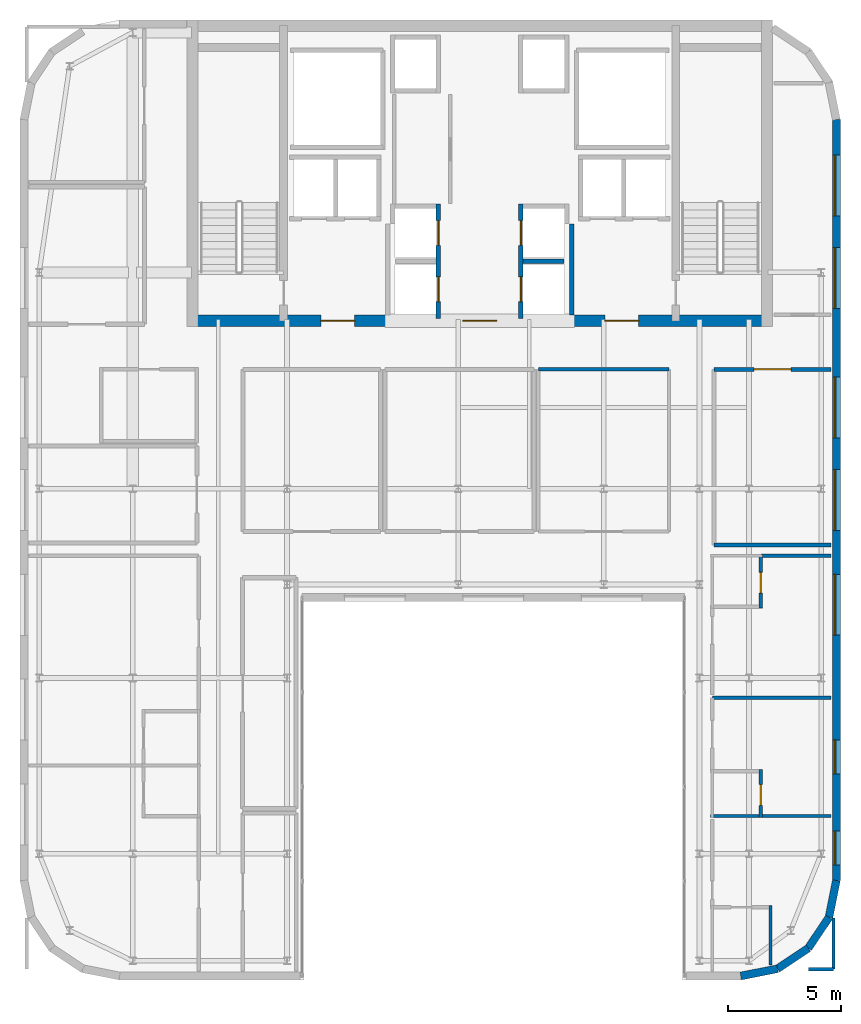
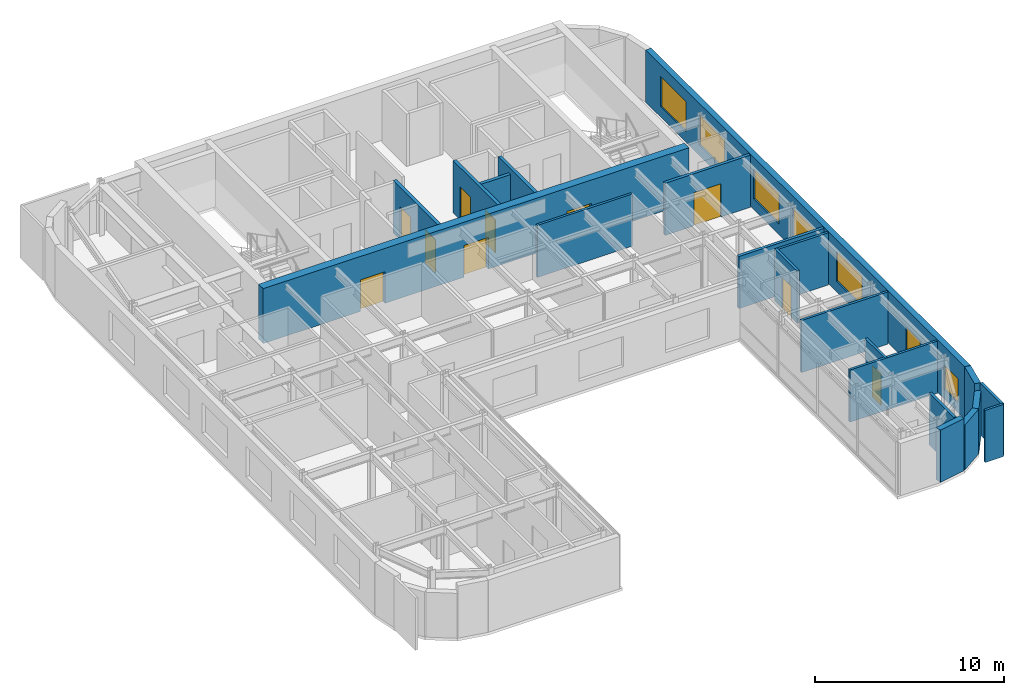
# One storey, part 15 of 18: 21 walls, 10 doors, 7 windows, 17 openings.
"""IFC4 building model written with IfcOpenShell, lengths in metres."""

from ifc_helpers import new_model, si_unit, direction, frame, frame_2d, origin, place, context, subcontext, project, spatial, rectangle, extrude, source, transform, mapped, material, layer, layer_set, type_object, type_shapes, element, fill, save


model = new_model("IFC4")

# Units and contexts
model_context = context("Model", 3, precision=1e-05, world=origin(), true_north=direction((0.0, 1.0)))
body_context = subcontext(model_context, "Body", "Model", "MODEL_VIEW")
ifc_project = project(units=[si_unit("LENGTHUNIT", "METRE"), si_unit("AREAUNIT", "SQUARE_METRE"), si_unit("VOLUMEUNIT", "CUBIC_METRE"), si_unit("PLANEANGLEUNIT", "RADIAN"), si_unit("MASSUNIT", "GRAM", prefix="KILO")], contexts=[model_context])

# Site, building, storey
site_placement = place(None, origin())
site = spatial("IfcSite", under=ifc_project, at=site_placement, CompositionType="ELEMENT")
building_placement = place(site_placement, origin())
building = spatial("IfcBuilding", under=site, at=building_placement, Name="Tolvann Quenvar Hotel", CompositionType="ELEMENT")
storey_placement = place(building_placement, frame((0.0, 0.0, 252.300048828125)))
storey = spatial("IfcBuildingStorey", under=building, at=storey_placement, Name="L67", CompositionType="ELEMENT", Elevation=252.300048828125)

# Wall, openings, doors
ifc_material_1 = material(Name="Concrete N50 (50 MPa)", Category="concrete")
ifc_layer_1 = layer(ifc_material_1, 0.5)
ifc_layer_set_1 = layer_set([ifc_layer_1], Name="Concrete N50 (50 MPa)")
wall_type_1 = type_object("IfcWallType", Name="WALL_CORE_500", PredefinedType="SHEAR", material=ifc_layer_set_1)
wall_1_placement = place(storey_placement, frame((10.0, 31.85009765625, 0.0), z_axis=(0.0, 0.0, 1.0), x_axis=(1.0, 0.0, 0.0)))
wall_1 = element("IfcWall", 1, at=wall_1_placement, inside=storey, type_object=wall_type_1, Name="Rear Core S Shear Wall (L67)", PredefinedType="SHEAR", context=body_context, shape_type="SweptSolid", body=[
    extrude(rectangle(XDim=26.0, YDim=0.5, at=frame_2d((13.0, 0.0))), origin(), (0.0, 0.0, 1.0), 3.550048828125),
])
opening_1_placement = place(wall_1_placement, frame((7.449951171875, 0.0, 0.0), z_axis=(0.0, 0.0, 1.0), x_axis=(-1.0, 0.0, 0.0)))
opening_1 = element("IfcOpeningElement", 2, at=opening_1_placement, cuts=wall_1, Name="Opening FD-60D", PredefinedType="OPENING", context=body_context, shape_type="SweptSolid", body=[
    extrude(rectangle(XDim=1.5, YDim=2.0400390625, at=frame_2d((0.75, 1.02001953125))), frame((0.0, 0.260009765625, 0.0), z_axis=(0.0, -1.0, 0.0), x_axis=(1.0, 0.0, 0.0)), (0.0, 0.0, 1.0), 0.52001953125),
])
opening_2_placement = place(wall_1_placement, frame((13.75, 0.0, 0.0), z_axis=(0.0, 0.0, 1.0), x_axis=(-1.0, 0.0, 0.0)))
opening_2 = element("IfcOpeningElement", 3, at=opening_2_placement, cuts=wall_1, Name="Opening FD-60D", PredefinedType="OPENING", context=body_context, shape_type="SweptSolid", body=[
    extrude(rectangle(XDim=1.5, YDim=2.0400390625, at=frame_2d((0.75, 1.02001953125))), frame((0.0, 0.260009765625, 0.0), z_axis=(0.0, -1.0, 0.0), x_axis=(1.0, 0.0, 0.0)), (0.0, 0.0, 1.0), 0.52001953125),
])
opening_3_placement = place(wall_1_placement, frame((20.050048828125, 0.0, 0.0), z_axis=(0.0, 0.0, 1.0), x_axis=(-1.0, 0.0, 0.0)))
opening_3 = element("IfcOpeningElement", 4, at=opening_3_placement, cuts=wall_1, Name="Opening FD-60D", PredefinedType="OPENING", context=body_context, shape_type="SweptSolid", body=[
    extrude(rectangle(XDim=1.5, YDim=2.0400390625, at=frame_2d((0.75, 1.02001953125))), frame((0.0, 0.260009765625, 0.0), z_axis=(0.0, -1.0, 0.0), x_axis=(1.0, 0.0, 0.0)), (0.0, 0.0, 1.0), 0.52001953125),
])
ifc_material_2 = material(Name="Solid-core American oak acoustic fire door leaf in steel frame", Category="steel")
door_type_1 = type_object("IfcDoorType", Name="DOOR_FIRE_LOBBY_1500", OperationType="NOTDEFINED", PredefinedType="DOOR", material=ifc_material_2)
shared_shape_1 = source(origin(), body_context, "Body", "SweptSolid", [
    extrude(rectangle(XDim=1.5, YDim=2.0400390625, at=frame_2d((0.75, 1.02001953125))), frame((0.0, 0.02490234375, 0.0), z_axis=(0.0, -1.0, 0.0), x_axis=(1.0, 0.0, 0.0)), (0.0, 0.0, 1.0), 0.050048828125),
])
type_shapes(door_type_1, [shared_shape_1])
door_1_placement = place(opening_1_placement, origin())
door_1 = element("IfcDoor", 5, at=door_1_placement, inside=storey, type_object=door_type_1, Name="Core Lobby Fire Door FFW (L67)", OperationType="DOUBLE_DOOR_SINGLE_SWING", OverallHeight=2.0400390625, OverallWidth=1.5, PredefinedType="DOOR", context=body_context, shape_type="MappedRepresentation", body=[
    mapped(shared_shape_1, transform((0.0, 0.0, 0.0), x_axis=(1.0, 0.0, 0.0), y_axis=(0.0, 1.0, 0.0), z_axis=(0.0, 0.0, 1.0), scale=1.0)),
])
fill(opening_1, door_1)
door_2_placement = place(opening_2_placement, origin())
door_2 = element("IfcDoor", 6, at=door_2_placement, inside=storey, type_object=door_type_1, Name="Core Lobby Fire Door CLOB (L67)", OperationType="DOUBLE_DOOR_SINGLE_SWING", OverallHeight=2.0400390625, OverallWidth=1.5, PredefinedType="DOOR", context=body_context, shape_type="MappedRepresentation", body=[
    mapped(shared_shape_1, transform((0.0, 0.0, 0.0), x_axis=(1.0, 0.0, 0.0), y_axis=(0.0, 1.0, 0.0), z_axis=(0.0, 0.0, 1.0), scale=1.0)),
])
fill(opening_2, door_2)
door_3_placement = place(opening_3_placement, origin())
door_3 = element("IfcDoor", 7, at=door_3_placement, inside=storey, type_object=door_type_1, Name="Core Lobby Fire Door FFE (L67)", OperationType="DOUBLE_DOOR_SINGLE_SWING", OverallHeight=2.0400390625, OverallWidth=1.5, PredefinedType="DOOR", context=body_context, shape_type="MappedRepresentation", body=[
    mapped(shared_shape_1, transform((0.0, 0.0, 0.0), x_axis=(1.0, 0.0, 0.0), y_axis=(0.0, 1.0, 0.0), z_axis=(0.0, 0.0, 1.0), scale=1.0)),
])
fill(opening_3, door_3)

# Walls
ifc_material_3 = material(Name="Kiln-fired red and buff architectural clay brickwork and terracotta masonry", Category="masonry")
ifc_layer_2 = layer(ifc_material_3, 0.35009765625)
ifc_layer_set_2 = layer_set([ifc_layer_2], Name="Kiln-fired red and buff architectural clay brickwork and terracotta masonry")
wall_type_2 = type_object("IfcWallType", Name="WALL_EXT_BRICK_350", PredefinedType="SOLIDWALL", material=ifc_layer_set_2)
wall_2_placement = place(storey_placement, frame((34.582763671875, 2.77490234375, 0.0), z_axis=(0.0, 0.0, 1.0), x_axis=(0.980794424524, 0.195044345786, 0.0)))
element("IfcWall", 8, at=wall_2_placement, inside=storey, type_object=wall_type_2, Name="Exterior Chicago Brick Wall L67-E09", PredefinedType="SOLIDWALL", context=body_context, shape_type="SweptSolid", body=[
    extrude(rectangle(XDim=1.664794921875, YDim=0.35009765625, at=frame_2d((0.83251953125, 0.0))), origin(), (0.0, 0.0, 1.0), 3.369873046875),
])
for number, where, z_axis, x_axis, name in (
    (9, (36.215576171875, 3.099609375, 0.0), (0.0, 0.0, 1.0), (0.831434158098, 0.555623290322, 0.0), "Exterior Chicago Brick Wall L67-E10"),
    (10, (37.585205078125, 4.014892578125, 0.0), (0.0, 0.0, 1.0), (0.555520825599, 0.831502623162, 0.0), "Exterior Chicago Brick Wall L67-E11"),
):
    element("IfcWall", number, at=place(storey_placement, frame(where, z_axis=z_axis, x_axis=x_axis)), inside=storey, type_object=wall_type_2, Name=name, PredefinedType="SOLIDWALL", context=body_context, shape_type="SweptSolid", body=[
        extrude(rectangle(XDim=1.647216796875, YDim=0.35009765625, at=frame_2d((0.82373046875, 0.0))), origin(), (0.0, 0.0, 1.0), 2.89990234375),
    ])
wall_3_placement = place(storey_placement, frame((38.500244140625, 5.384521484375, 0.0), z_axis=(0.0, 0.0, 1.0), x_axis=(0.195072403631, 0.980788844421, 0.0)))
element("IfcWall", 11, at=wall_3_placement, inside=storey, type_object=wall_type_2, Name="Exterior Chicago Brick Wall L67-E12", PredefinedType="SOLIDWALL", context=body_context, shape_type="SweptSolid", body=[
    extrude(rectangle(XDim=1.66455078125, YDim=0.35009765625, at=frame_2d((0.832275390625, 0.0))), origin(), (0.0, 0.0, 1.0), 3.369873046875),
])

# Wall, openings, windows
wall_4_placement = place(storey_placement, frame((38.824951171875, 7.01708984375, 0.0), z_axis=(0.0, 0.0, 1.0), x_axis=(0.0, 1.0, 0.0)))
wall_4 = element("IfcWall", 12, at=wall_4_placement, inside=storey, type_object=wall_type_2, Name="Exterior Chicago Brick Wall L67-E13", PredefinedType="SOLIDWALL", context=body_context, shape_type="SweptSolid", body=[
    extrude(rectangle(XDim=33.765625, YDim=0.35009765625, at=frame_2d((16.8828125, 0.0))), origin(), (0.0, 0.0, 1.0), 3.369873046875),
])
opening_4_placement = place(wall_4_placement, frame((10.881103515625, 0.0, 0.679931640625)))
opening_4 = element("IfcOpeningElement", 13, at=opening_4_placement, cuts=wall_4, Name="Opening W-04", PredefinedType="OPENING", context=body_context, shape_type="SweptSolid", body=[
    extrude(rectangle(XDim=2.699951171875, YDim=1.949951171875, at=frame_2d((1.35009765625, 0.97509765625))), frame((0.0, 0.18505859375, 0.0), z_axis=(0.0, -1.0, 0.0), x_axis=(1.0, 0.0, 0.0)), (0.0, 0.0, 1.0), 0.3701171875),
])
opening_5_placement = place(wall_4_placement, frame((15.532958984375, 0.0, 0.679931640625)))
opening_5 = element("IfcOpeningElement", 14, at=opening_5_placement, cuts=wall_4, Name="Opening W-04", PredefinedType="OPENING", context=body_context, shape_type="SweptSolid", body=[
    extrude(rectangle(XDim=2.699951171875, YDim=1.949951171875, at=frame_2d((1.35009765625, 0.97509765625))), frame((0.0, 0.18505859375, 0.0), z_axis=(0.0, -1.0, 0.0), x_axis=(1.0, 0.0, 0.0)), (0.0, 0.0, 1.0), 0.3701171875),
])
opening_6_placement = place(wall_4_placement, frame((19.635009765625, 0.0, 0.679931640625)))
opening_6 = element("IfcOpeningElement", 15, at=opening_6_placement, cuts=wall_4, Name="Opening W-04", PredefinedType="OPENING", context=body_context, shape_type="SweptSolid", body=[
    extrude(rectangle(XDim=2.699951171875, YDim=1.949951171875, at=frame_2d((1.35009765625, 0.97509765625))), frame((0.0, 0.18505859375, 0.0), z_axis=(0.0, -1.0, 0.0), x_axis=(1.0, 0.0, 0.0)), (0.0, 0.0, 1.0), 0.3701171875),
])
opening_7_placement = place(wall_4_placement, frame((25.386962890625, 0.0, 0.679931640625)))
opening_7 = element("IfcOpeningElement", 16, at=opening_7_placement, cuts=wall_4, Name="Opening W-04", PredefinedType="OPENING", context=body_context, shape_type="SweptSolid", body=[
    extrude(rectangle(XDim=2.699951171875, YDim=1.949951171875, at=frame_2d((1.35009765625, 0.97509765625))), frame((0.0, 0.18505859375, 0.0), z_axis=(0.0, -1.0, 0.0), x_axis=(1.0, 0.0, 0.0)), (0.0, 0.0, 1.0), 0.3701171875),
])
opening_8_placement = place(wall_4_placement, frame((29.489013671875, 0.0, 0.679931640625)))
opening_8 = element("IfcOpeningElement", 17, at=opening_8_placement, cuts=wall_4, Name="Opening W-04", PredefinedType="OPENING", context=body_context, shape_type="SweptSolid", body=[
    extrude(rectangle(XDim=2.699951171875, YDim=1.949951171875, at=frame_2d((1.35009765625, 0.97509765625))), frame((0.0, 0.18505859375, 0.0), z_axis=(0.0, -1.0, 0.0), x_axis=(1.0, 0.0, 0.0)), (0.0, 0.0, 1.0), 0.3701171875),
])
opening_9_placement = place(wall_4_placement, frame((0.68603515625, 0.0, 0.6201171875)))
opening_9 = element("IfcOpeningElement", 18, at=opening_9_placement, cuts=wall_4, Name="Opening W-08", PredefinedType="OPENING", context=body_context, shape_type="SweptSolid", body=[
    extrude(rectangle(XDim=1.5, YDim=1.550048828125, at=frame_2d((0.75, 0.77490234375))), frame((0.0, 0.18505859375, 0.0), z_axis=(0.0, -1.0, 0.0), x_axis=(1.0, 0.0, 0.0)), (0.0, 0.0, 1.0), 0.3701171875),
])
opening_10_placement = place(wall_4_placement, frame((4.73291015625, 0.0, 0.6201171875)))
opening_10 = element("IfcOpeningElement", 19, at=opening_10_placement, cuts=wall_4, Name="Opening W-08", PredefinedType="OPENING", context=body_context, shape_type="SweptSolid", body=[
    extrude(rectangle(XDim=1.5, YDim=1.550048828125, at=frame_2d((0.75, 0.77490234375))), frame((0.0, 0.18505859375, 0.0), z_axis=(0.0, -1.0, 0.0), x_axis=(1.0, 0.0, 0.0)), (0.0, 0.0, 1.0), 0.3701171875),
])
ifc_material_4 = material(Name="Thermally broken bronze-anodised aluminium frame with double low-E glazing", Category="aluminium")
window_type_1 = type_object("IfcWindowType", Name="WIN_COR_1500x2050", PartitioningType="SINGLE_PANEL", PredefinedType="WINDOW", material=ifc_material_4)
shared_shape_2 = source(origin(), body_context, "Body", "SweptSolid", [
    extrude(rectangle(XDim=1.5, YDim=1.550048828125, at=frame_2d((0.75, 0.77490234375))), frame((0.0, 0.090087890625, 0.0), z_axis=(0.0, -1.0, 0.0), x_axis=(1.0, 0.0, 0.0)), (0.0, 0.0, 1.0), 0.06005859375),
])
type_shapes(window_type_1, [shared_shape_2])
window_1_placement = place(opening_9_placement, origin())
window_1 = element("IfcWindow", 20, at=window_1_placement, inside=storey, type_object=window_type_1, Name="Chicago Window W-08 (EW-L67-E13-WD06)", OverallHeight=1.550048828125, OverallWidth=1.5, PartitioningType="SINGLE_PANEL", PredefinedType="WINDOW", context=body_context, shape_type="MappedRepresentation", body=[
    mapped(shared_shape_2, transform((0.0, 0.0, 0.0), x_axis=(1.0, 0.0, 0.0), y_axis=(0.0, 1.0, 0.0), z_axis=(0.0, 0.0, 1.0), scale=1.0)),
])
fill(opening_9, window_1)
window_2_placement = place(opening_10_placement, origin())
window_2 = element("IfcWindow", 21, at=window_2_placement, inside=storey, type_object=window_type_1, Name="Chicago Window W-08 (EW-L67-E13-WD07)", OverallHeight=1.550048828125, OverallWidth=1.5, PartitioningType="SINGLE_PANEL", PredefinedType="WINDOW", context=body_context, shape_type="MappedRepresentation", body=[
    mapped(shared_shape_2, transform((0.0, 0.0, 0.0), x_axis=(1.0, 0.0, 0.0), y_axis=(0.0, 1.0, 0.0), z_axis=(0.0, 0.0, 1.0), scale=1.0)),
])
fill(opening_10, window_2)
window_type_2 = type_object("IfcWindowType", Name="WIN_STE_2700x2150", PartitioningType="TRIPLE_PANEL_HORIZONTAL", PredefinedType="WINDOW", material=ifc_material_4)
shared_shape_3 = source(origin(), body_context, "Body", "SweptSolid", [
    extrude(rectangle(XDim=2.699951171875, YDim=1.949951171875, at=frame_2d((1.35009765625, 0.97509765625))), frame((0.0, 0.090087890625, 0.0), z_axis=(0.0, -1.0, 0.0), x_axis=(1.0, 0.0, 0.0)), (0.0, 0.0, 1.0), 0.06005859375),
])
type_shapes(window_type_2, [shared_shape_3])
window_3_placement = place(opening_4_placement, origin())
window_3 = element("IfcWindow", 22, at=window_3_placement, inside=storey, type_object=window_type_2, Name="Chicago Window W-04 (EW-L67-E13-W01)", OverallHeight=1.949951171875, OverallWidth=2.699951171875, PartitioningType="TRIPLE_PANEL_HORIZONTAL", PredefinedType="WINDOW", context=body_context, shape_type="MappedRepresentation", body=[
    mapped(shared_shape_3, transform((0.0, 0.0, 0.0), x_axis=(1.0, 0.0, 0.0), y_axis=(0.0, 1.0, 0.0), z_axis=(0.0, 0.0, 1.0), scale=1.0)),
])
fill(opening_4, window_3)
window_4_placement = place(opening_5_placement, origin())
window_4 = element("IfcWindow", 23, at=window_4_placement, inside=storey, type_object=window_type_2, Name="Chicago Window W-04 (EW-L67-E13-W02)", OverallHeight=1.949951171875, OverallWidth=2.699951171875, PartitioningType="TRIPLE_PANEL_HORIZONTAL", PredefinedType="WINDOW", context=body_context, shape_type="MappedRepresentation", body=[
    mapped(shared_shape_3, transform((0.0, 0.0, 0.0), x_axis=(1.0, 0.0, 0.0), y_axis=(0.0, 1.0, 0.0), z_axis=(0.0, 0.0, 1.0), scale=1.0)),
])
fill(opening_5, window_4)
window_5_placement = place(opening_6_placement, origin())
window_5 = element("IfcWindow", 24, at=window_5_placement, inside=storey, type_object=window_type_2, Name="Chicago Window W-04 (EW-L67-E13-W03)", OverallHeight=1.949951171875, OverallWidth=2.699951171875, PartitioningType="TRIPLE_PANEL_HORIZONTAL", PredefinedType="WINDOW", context=body_context, shape_type="MappedRepresentation", body=[
    mapped(shared_shape_3, transform((0.0, 0.0, 0.0), x_axis=(1.0, 0.0, 0.0), y_axis=(0.0, 1.0, 0.0), z_axis=(0.0, 0.0, 1.0), scale=1.0)),
])
fill(opening_6, window_5)
window_6_placement = place(opening_7_placement, origin())
window_6 = element("IfcWindow", 25, at=window_6_placement, inside=storey, type_object=window_type_2, Name="Chicago Window W-04 (EW-L67-E13-W04)", OverallHeight=1.949951171875, OverallWidth=2.699951171875, PartitioningType="TRIPLE_PANEL_HORIZONTAL", PredefinedType="WINDOW", context=body_context, shape_type="MappedRepresentation", body=[
    mapped(shared_shape_3, transform((0.0, 0.0, 0.0), x_axis=(1.0, 0.0, 0.0), y_axis=(0.0, 1.0, 0.0), z_axis=(0.0, 0.0, 1.0), scale=1.0)),
])
fill(opening_7, window_6)
window_7_placement = place(opening_8_placement, origin())
window_7 = element("IfcWindow", 26, at=window_7_placement, inside=storey, type_object=window_type_2, Name="Chicago Window W-04 (EW-L67-E13-W05)", OverallHeight=1.949951171875, OverallWidth=2.699951171875, PartitioningType="TRIPLE_PANEL_HORIZONTAL", PredefinedType="WINDOW", context=body_context, shape_type="MappedRepresentation", body=[
    mapped(shared_shape_3, transform((0.0, 0.0, 0.0), x_axis=(1.0, 0.0, 0.0), y_axis=(0.0, 1.0, 0.0), z_axis=(0.0, 0.0, 1.0), scale=1.0)),
])
fill(opening_8, window_7)

# Wall
ifc_material_5 = material(Name="Acoustic twin-stud fire-rated gypsum plasterboard partition")
ifc_layer_3 = layer(ifc_material_5, 0.179931640625)
ifc_layer_set_3 = layer_set([ifc_layer_3], Name="Acoustic twin-stud fire-rated gypsum plasterboard partition")
wall_type_3 = type_object("IfcWallType", Name="WALL_PART_ACOUSTIC_180", PredefinedType="PARTITIONING", material=ifc_layer_set_3)
wall_5_placement = place(storey_placement, frame((33.39990234375, 21.89990234375, 0.0), z_axis=(0.0, 0.0, 1.0), x_axis=(1.0, 0.0, 0.0)))
element("IfcWall", 27, at=wall_5_placement, inside=storey, type_object=wall_type_3, Name="Interior Partition PT-SPC-L67-PNE1-S", PredefinedType="PARTITIONING", context=body_context, shape_type="SweptSolid", body=[
    extrude(rectangle(XDim=5.195068359375, YDim=0.179931640625, at=frame_2d((2.59765625, 0.0))), origin(), (0.0, 0.0, 1.0), 3.369873046875),
])

# Wall, opening, door
wall_6_placement = place(storey_placement, frame((33.39990234375, 29.699951171875, 0.0), z_axis=(0.0, 0.0, 1.0), x_axis=(1.0, 0.0, 0.0)))
wall_6 = element("IfcWall", 28, at=wall_6_placement, inside=storey, type_object=wall_type_3, Name="Interior Partition PT-SPC-L67-PNE1-N", PredefinedType="PARTITIONING", context=body_context, shape_type="SweptSolid", body=[
    extrude(rectangle(XDim=5.195068359375, YDim=0.179931640625, at=frame_2d((2.59765625, 0.0))), origin(), (0.0, 0.0, 1.0), 3.369873046875),
])
opening_11_placement = place(wall_6_placement, frame((1.7724609375, 0.0, 0.0)))
opening_11 = element("IfcOpeningElement", 29, at=opening_11_placement, cuts=wall_6, Name="Opening AD-01", PredefinedType="OPENING", context=body_context, shape_type="SweptSolid", body=[
    extrude(rectangle(XDim=1.64990234375, YDim=2.14990234375, at=frame_2d((0.824951171875, 1.074951171875))), frame((0.0, 0.10009765625, 0.0), z_axis=(0.0, -1.0, 0.0), x_axis=(1.0, 0.0, 0.0)), (0.0, 0.0, 1.0), 0.199951171875),
])
door_type_2 = type_object("IfcDoorType", Name="DOOR_SALON_1650", OperationType="NOTDEFINED", PredefinedType="DOOR", material=ifc_material_2)
shared_shape_4 = source(origin(), body_context, "Body", "SweptSolid", [
    extrude(rectangle(XDim=1.64990234375, YDim=2.14990234375, at=frame_2d((0.824951171875, 1.074951171875))), frame((0.0, 0.02490234375, 0.0), z_axis=(0.0, -1.0, 0.0), x_axis=(1.0, 0.0, 0.0)), (0.0, 0.0, 1.0), 0.050048828125),
])
type_shapes(door_type_2, [shared_shape_4])
door_4_placement = place(opening_11_placement, origin())
door_4 = element("IfcDoor", 30, at=door_4_placement, inside=storey, type_object=door_type_2, Name="Interior Door DOOR-SPC-L67-PNE1", OperationType="DOUBLE_DOOR_SINGLE_SWING", OverallHeight=2.14990234375, OverallWidth=1.64990234375, PredefinedType="DOOR", context=body_context, shape_type="MappedRepresentation", body=[
    mapped(shared_shape_4, transform((0.0, 0.0, 0.0), x_axis=(1.0, 0.0, 0.0), y_axis=(0.0, 1.0, 0.0), z_axis=(0.0, 0.0, 1.0), scale=1.0)),
])
fill(opening_11, door_4)

# Wall
ifc_layer_4 = layer(ifc_material_5, 0.14990234375)
ifc_layer_set_4 = layer_set([ifc_layer_4], Name="Acoustic twin-stud fire-rated gypsum plasterboard partition")
wall_type_4 = type_object("IfcWallType", Name="WALL_PART_SUITE_150", PredefinedType="PARTITIONING", material=ifc_layer_set_4)
wall_7_placement = place(storey_placement, frame((35.902099609375, 3.27197265625, 0.0), z_axis=(0.0, 0.0, 1.0), x_axis=(0.0, 1.0, 0.0)))
element("IfcWall", 31, at=wall_7_placement, inside=storey, type_object=wall_type_4, Name="Interior Partition PT-SPC-L67-ENS-PE01-ENT", PredefinedType="PARTITIONING", context=body_context, shape_type="SweptSolid", body=[
    extrude(rectangle(XDim=2.6279296875, YDim=0.14990234375, at=frame_2d((1.31396484375, 0.0))), origin(), (0.0, 0.0, 1.0), 3.369873046875),
])

# Wall, opening, door
wall_8_placement = place(storey_placement, frame((35.469970703125, 9.81005859375, 0.0), z_axis=(0.0, 0.0, 1.0), x_axis=(0.0, 1.0, 0.0)))
wall_8 = element("IfcWall", 32, at=wall_8_placement, inside=storey, type_object=wall_type_4, Name="Interior Partition PT-SPC-L67-ENS-PE02-ENT", PredefinedType="PARTITIONING", context=body_context, shape_type="SweptSolid", body=[
    extrude(rectangle(XDim=2.130859375, YDim=0.14990234375, at=frame_2d((1.0654296875, 0.0))), origin(), (0.0, 0.0, 1.0), 3.369873046875),
])
opening_12_placement = place(wall_8_placement, frame((0.535400390625, 0.0, 0.0)))
opening_12 = element("IfcOpeningElement", 33, at=opening_12_placement, cuts=wall_8, Name="Opening WD-01", PredefinedType="OPENING", context=body_context, shape_type="SweptSolid", body=[
    extrude(rectangle(XDim=0.919921875, YDim=2.010009765625, at=frame_2d((0.4599609375, 1.0048828125))), frame((0.0, 0.0849609375, 0.0), z_axis=(0.0, -1.0, 0.0), x_axis=(1.0, 0.0, 0.0)), (0.0, 0.0, 1.0), 0.169921875),
])
door_type_3 = type_object("IfcDoorType", Name="DOOR_WC_920", OperationType="NOTDEFINED", PredefinedType="DOOR", material=ifc_material_2)
shared_shape_5 = source(origin(), body_context, "Body", "SweptSolid", [
    extrude(rectangle(XDim=0.919921875, YDim=2.010009765625, at=frame_2d((0.4599609375, 1.0048828125))), frame((0.0, 0.02490234375, 0.0), z_axis=(0.0, -1.0, 0.0), x_axis=(1.0, 0.0, 0.0)), (0.0, 0.0, 1.0), 0.050048828125),
])
type_shapes(door_type_3, [shared_shape_5])
door_5_placement = place(opening_12_placement, origin())
door_5 = element("IfcDoor", 34, at=door_5_placement, inside=storey, type_object=door_type_3, Name="Interior Door DOOR-SPC-L67-ENS-PE02", OperationType="SINGLE_SWING_LEFT", OverallHeight=2.010009765625, OverallWidth=0.919921875, PredefinedType="DOOR", context=body_context, shape_type="MappedRepresentation", body=[
    mapped(shared_shape_5, transform((0.0, 0.0, 0.0), x_axis=(1.0, 0.0, 0.0), y_axis=(0.0, 1.0, 0.0), z_axis=(0.0, 0.0, 1.0), scale=1.0)),
])
fill(opening_12, door_5)

# Wall
wall_9_placement = place(storey_placement, frame((33.25, 9.8798828125, 0.0), z_axis=(0.0, 0.0, 1.0), x_axis=(1.0, 0.0, 0.0)))
element("IfcWall", 35, at=wall_9_placement, inside=storey, type_object=wall_type_4, Name="Interior Partition PT-SPC-L67-ENS-PE02-S", PredefinedType="PARTITIONING", context=body_context, shape_type="SweptSolid", body=[
    extrude(rectangle(XDim=5.344970703125, YDim=0.14990234375, at=frame_2d((2.67236328125, 0.0))), origin(), (0.0, 0.0, 1.0), 3.369873046875),
])

# Wall, opening, door
wall_10_placement = place(storey_placement, frame((35.469970703125, 19.10009765625, 0.0), z_axis=(0.0, 0.0, 1.0), x_axis=(0.0, 1.0, 0.0)))
wall_10 = element("IfcWall", 36, at=wall_10_placement, inside=storey, type_object=wall_type_4, Name="Interior Partition PT-SPC-L67-ENS-PE03-ENT", PredefinedType="PARTITIONING", context=body_context, shape_type="SweptSolid", body=[
    extrude(rectangle(XDim=2.389892578125, YDim=0.14990234375, at=frame_2d((1.19482421875, 0.0))), origin(), (0.0, 0.0, 1.0), 3.369873046875),
])
opening_13_placement = place(wall_10_placement, frame((0.6650390625, 0.0, 0.0)))
opening_13 = element("IfcOpeningElement", 37, at=opening_13_placement, cuts=wall_10, Name="Opening WD-01", PredefinedType="OPENING", context=body_context, shape_type="SweptSolid", body=[
    extrude(rectangle(XDim=0.919921875, YDim=2.010009765625, at=frame_2d((0.4599609375, 1.0048828125))), frame((0.0, 0.0849609375, 0.0), z_axis=(0.0, -1.0, 0.0), x_axis=(1.0, 0.0, 0.0)), (0.0, 0.0, 1.0), 0.169921875),
])
door_6_placement = place(opening_13_placement, origin())
door_6 = element("IfcDoor", 38, at=door_6_placement, inside=storey, type_object=door_type_3, Name="Interior Door DOOR-SPC-L67-ENS-PE03", OperationType="SINGLE_SWING_RIGHT", OverallHeight=2.010009765625, OverallWidth=0.919921875, PredefinedType="DOOR", context=body_context, shape_type="MappedRepresentation", body=[
    mapped(shared_shape_5, transform((0.0, 0.0, 0.0), x_axis=(1.0, 0.0, 0.0), y_axis=(0.0, 1.0, 0.0), z_axis=(0.0, 0.0, 1.0), scale=1.0)),
])
fill(opening_13, door_6)

# Walls
wall_11_placement = place(storey_placement, frame((37.5849609375, 3.080078125, 0.0), z_axis=(0.0, 0.0, 1.0), x_axis=(1.0, 0.0, 0.0)))
element("IfcWall", 39, at=wall_11_placement, inside=storey, type_object=wall_type_4, Name="Interior Partition PT-SPC-L67-RM-PE01-E3", PredefinedType="PARTITIONING", context=body_context, shape_type="SweptSolid", body=[
    extrude(rectangle(XDim=1.114990234375, YDim=0.14990234375, at=frame_2d((0.5576171875, 0.0))), origin(), (0.0, 0.0, 1.0), 3.369873046875),
])
wall_12_placement = place(storey_placement, frame((38.699951171875, 3.080078125, 0.0), z_axis=(0.0, 0.0, 1.0), x_axis=(0.0, 1.0, 0.0)))
element("IfcWall", 40, at=wall_12_placement, inside=storey, type_object=wall_type_4, Name="Interior Partition PT-SPC-L67-RM-PE01-E4", PredefinedType="PARTITIONING", context=body_context, shape_type="SweptSolid", body=[
    extrude(rectangle(XDim=2.264892578125, YDim=0.14990234375, at=frame_2d((1.13232421875, 0.0))), origin(), (0.0, 0.0, 1.0), 3.369873046875),
])
wall_13_placement = place(storey_placement, frame((33.320068359375, 15.1201171875, 0.0), z_axis=(0.0, 0.0, 1.0), x_axis=(1.0, 0.0, 0.0)))
element("IfcWall", 41, at=wall_13_placement, inside=storey, type_object=wall_type_4, Name="Interior Partition PT-SPC-L67-RM-PE02-E5", PredefinedType="PARTITIONING", context=body_context, shape_type="SweptSolid", body=[
    extrude(rectangle(XDim=5.27490234375, YDim=0.14990234375, at=frame_2d((2.637451171875, 0.0))), origin(), (0.0, 0.0, 1.0), 3.369873046875),
])
wall_14_placement = place(storey_placement, frame((35.489990234375, 21.419921875, 0.0), z_axis=(0.0, 0.0, 1.0), x_axis=(1.0, 0.0, 0.0)))
element("IfcWall", 42, at=wall_14_placement, inside=storey, type_object=wall_type_4, Name="Interior Partition PT-SPC-L67-RM-PE03-E3", PredefinedType="PARTITIONING", context=body_context, shape_type="SweptSolid", body=[
    extrude(rectangle(XDim=3.10498046875, YDim=0.14990234375, at=frame_2d((1.552490234375, 0.0))), origin(), (0.0, 0.0, 1.0), 3.369873046875),
])
wall_15_placement = place(storey_placement, frame((25.60009765625, 29.699951171875, 0.0), z_axis=(0.0, 0.0, 1.0), x_axis=(1.0, 0.0, 0.0)))
element("IfcWall", 43, at=wall_15_placement, inside=storey, type_object=wall_type_4, Name="Interior Partition PT-SPC-L67-PCNTR3-N", PredefinedType="PARTITIONING", context=body_context, shape_type="SweptSolid", body=[
    extrude(rectangle(XDim=5.7998046875, YDim=0.14990234375, at=frame_2d((2.89990234375, 0.0))), origin(), (0.0, 0.0, 1.0), 3.369873046875),
])
ifc_material_6 = material(Name="Concrete N40 (40 MPa)", Category="concrete")
ifc_layer_5 = layer(ifc_material_6, 0.199951171875)
ifc_layer_set_5 = layer_set([ifc_layer_5], Name="Concrete N40 (40 MPa)")
wall_type_5 = type_object("IfcWallType", Name="WALL_SHAFT_200", PredefinedType="SOLIDWALL", material=ifc_layer_set_5)
wall_16_placement = place(storey_placement, frame((27.080078125, 32.10400390625, 0.0), z_axis=(0.0, 0.0, 1.0), x_axis=(0.0, 1.0, 0.0)))
element("IfcWall", 44, at=wall_16_placement, inside=storey, type_object=wall_type_5, Name="Firefighting Lobby E Inner Fire Wall (L67)", PredefinedType="SOLIDWALL", context=body_context, shape_type="SweptSolid", body=[
    extrude(rectangle(XDim=4.0458984375, YDim=0.199951171875, at=frame_2d((2.02294921875, 0.0))), origin(), (0.0, 0.0, 1.0), 3.369873046875),
])

# Wall, openings, doors
wall_17_placement = place(storey_placement, frame((21.169921875, 31.9599609375, 0.0), z_axis=(0.0, 0.0, 1.0), x_axis=(0.0, 1.0, 0.0)))
wall_17 = element("IfcWall", 45, at=wall_17_placement, inside=storey, type_object=wall_type_5, Name="Lift Bank E21.1C1 Hoistway Front Wall (L67)", PredefinedType="SOLIDWALL", context=body_context, shape_type="SweptSolid", body=[
    extrude(rectangle(XDim=5.080078125, YDim=0.199951171875, at=frame_2d((2.5400390625, 0.0))), origin(), (0.0, 0.0, 1.0), 3.369873046875),
])
opening_14_placement = place(wall_17_placement, frame((0.739990234375, 0.0, 0.0)))
opening_14 = element("IfcOpeningElement", 46, at=opening_14_placement, cuts=wall_17, Name="Opening LD-01", PredefinedType="OPENING", context=body_context, shape_type="SweptSolid", body=[
    extrude(rectangle(XDim=1.10009765625, YDim=2.1201171875, at=frame_2d((0.550048828125, 1.06005859375))), frame((0.0, 0.10986328125, 0.0), z_axis=(0.0, -1.0, 0.0), x_axis=(1.0, 0.0, 0.0)), (0.0, 0.0, 1.0), 0.219970703125),
])
opening_15_placement = place(wall_17_placement, frame((3.239990234375, 0.0, 0.0)))
opening_15 = element("IfcOpeningElement", 47, at=opening_15_placement, cuts=wall_17, Name="Opening LD-01", PredefinedType="OPENING", context=body_context, shape_type="SweptSolid", body=[
    extrude(rectangle(XDim=1.10009765625, YDim=2.1201171875, at=frame_2d((0.550048828125, 1.06005859375))), frame((0.0, 0.10986328125, 0.0), z_axis=(0.0, -1.0, 0.0), x_axis=(1.0, 0.0, 0.0)), (0.0, 0.0, 1.0), 0.219970703125),
])
ifc_material_7 = material(Name="Brushed 316 stainless steel automatic sliding lift landing door", Category="steel")
door_type_4 = type_object("IfcDoorType", Name="DOOR_LIFT_SLIDE_1100", OperationType="NOTDEFINED", PredefinedType="DOOR", material=ifc_material_7)
shared_shape_6 = source(origin(), body_context, "Body", "SweptSolid", [
    extrude(rectangle(XDim=1.10009765625, YDim=2.1201171875, at=frame_2d((0.550048828125, 1.06005859375))), frame((0.0, 0.02490234375, 0.0), z_axis=(0.0, -1.0, 0.0), x_axis=(1.0, 0.0, 0.0)), (0.0, 0.0, 1.0), 0.050048828125),
])
type_shapes(door_type_4, [shared_shape_6])
door_7_placement = place(opening_14_placement, origin())
door_7 = element("IfcDoor", 48, at=door_7_placement, inside=storey, type_object=door_type_4, Name="Lift PH-1 Sliding Landing Door (L67)", OperationType="SLIDING_TO_LEFT", OverallHeight=2.1201171875, OverallWidth=1.10009765625, PredefinedType="DOOR", context=body_context, shape_type="MappedRepresentation", body=[
    mapped(shared_shape_6, transform((0.0, 0.0, 0.0), x_axis=(1.0, 0.0, 0.0), y_axis=(0.0, 1.0, 0.0), z_axis=(0.0, 0.0, 1.0), scale=1.0)),
])
fill(opening_14, door_7)
door_8_placement = place(opening_15_placement, origin())
door_8 = element("IfcDoor", 49, at=door_8_placement, inside=storey, type_object=door_type_4, Name="Lift PH-2 Sliding Landing Door (L67)", OperationType="SLIDING_TO_RIGHT", OverallHeight=2.1201171875, OverallWidth=1.10009765625, PredefinedType="DOOR", context=body_context, shape_type="MappedRepresentation", body=[
    mapped(shared_shape_6, transform((0.0, 0.0, 0.0), x_axis=(1.0, 0.0, 0.0), y_axis=(0.0, 1.0, 0.0), z_axis=(0.0, 0.0, 1.0), scale=1.0)),
])
fill(opening_15, door_8)

wall_18_placement = place(storey_placement, frame((24.830078125, 31.9599609375, 0.0), z_axis=(0.0, 0.0, 1.0), x_axis=(0.0, 1.0, 0.0)))
wall_18 = element("IfcWall", 50, at=wall_18_placement, inside=storey, type_object=wall_type_5, Name="Lift Bank W24.9C1 Hoistway Front Wall (L67)", PredefinedType="SOLIDWALL", context=body_context, shape_type="SweptSolid", body=[
    extrude(rectangle(XDim=5.080078125, YDim=0.199951171875, at=frame_2d((2.5400390625, 0.0))), origin(), (0.0, 0.0, 1.0), 3.369873046875),
])
opening_16_placement = place(wall_18_placement, frame((0.739990234375, 0.0, 0.0)))
opening_16 = element("IfcOpeningElement", 51, at=opening_16_placement, cuts=wall_18, Name="Opening LD-01", PredefinedType="OPENING", context=body_context, shape_type="SweptSolid", body=[
    extrude(rectangle(XDim=1.10009765625, YDim=2.1201171875, at=frame_2d((0.550048828125, 1.06005859375))), frame((0.0, 0.10986328125, 0.0), z_axis=(0.0, -1.0, 0.0), x_axis=(1.0, 0.0, 0.0)), (0.0, 0.0, 1.0), 0.219970703125),
])
opening_17_placement = place(wall_18_placement, frame((3.239990234375, 0.0, 0.0)))
opening_17 = element("IfcOpeningElement", 52, at=opening_17_placement, cuts=wall_18, Name="Opening LD-01", PredefinedType="OPENING", context=body_context, shape_type="SweptSolid", body=[
    extrude(rectangle(XDim=1.10009765625, YDim=2.1201171875, at=frame_2d((0.550048828125, 1.06005859375))), frame((0.0, 0.10986328125, 0.0), z_axis=(0.0, -1.0, 0.0), x_axis=(1.0, 0.0, 0.0)), (0.0, 0.0, 1.0), 0.219970703125),
])
door_9_placement = place(opening_16_placement, origin())
door_9 = element("IfcDoor", 53, at=door_9_placement, inside=storey, type_object=door_type_4, Name="Lift PH-3 Sliding Landing Door (L67)", OperationType="SLIDING_TO_LEFT", OverallHeight=2.1201171875, OverallWidth=1.10009765625, PredefinedType="DOOR", context=body_context, shape_type="MappedRepresentation", body=[
    mapped(shared_shape_6, transform((0.0, 0.0, 0.0), x_axis=(1.0, 0.0, 0.0), y_axis=(0.0, 1.0, 0.0), z_axis=(0.0, 0.0, 1.0), scale=1.0)),
])
fill(opening_16, door_9)
door_10_placement = place(opening_17_placement, origin())
door_10 = element("IfcDoor", 54, at=door_10_placement, inside=storey, type_object=door_type_4, Name="Lift PH-4 Sliding Landing Door (L67)", OperationType="SLIDING_TO_RIGHT", OverallHeight=2.1201171875, OverallWidth=1.10009765625, PredefinedType="DOOR", context=body_context, shape_type="MappedRepresentation", body=[
    mapped(shared_shape_6, transform((0.0, 0.0, 0.0), x_axis=(1.0, 0.0, 0.0), y_axis=(0.0, 1.0, 0.0), z_axis=(0.0, 0.0, 1.0), scale=1.0)),
])
fill(opening_17, door_10)

# Wall
wall_19_placement = place(storey_placement, frame((24.929931640625, 34.5, 0.0), z_axis=(0.0, 0.0, 1.0), x_axis=(1.0, 0.0, 0.0)))
element("IfcWall", 55, at=wall_19_placement, inside=storey, type_object=wall_type_5, Name="Lift Bank W24.9C1 Divider Wall 1 (L67)", PredefinedType="SOLIDWALL", context=body_context, shape_type="SweptSolid", body=[
    extrude(rectangle(XDim=1.800048828125, YDim=0.199951171875, at=frame_2d((0.89990234375, 0.0))), origin(), (0.0, 0.0, 1.0), 3.369873046875),
])

save(model, "model.ifc")
